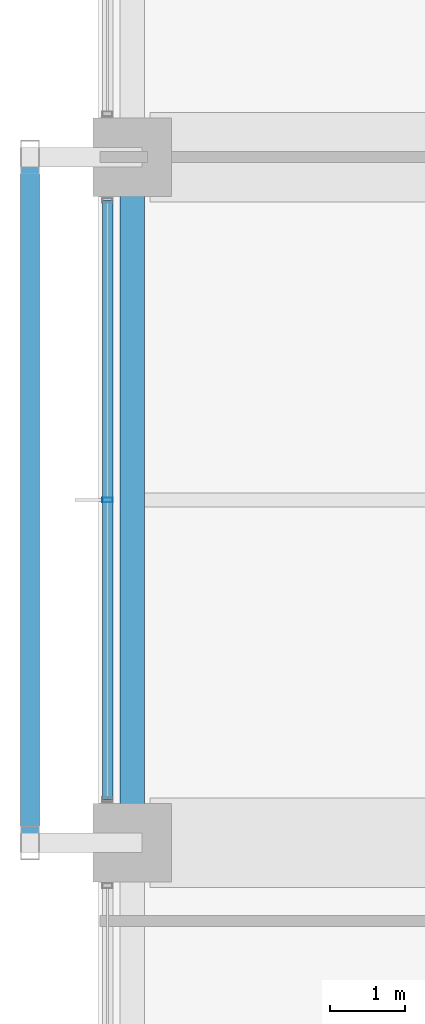
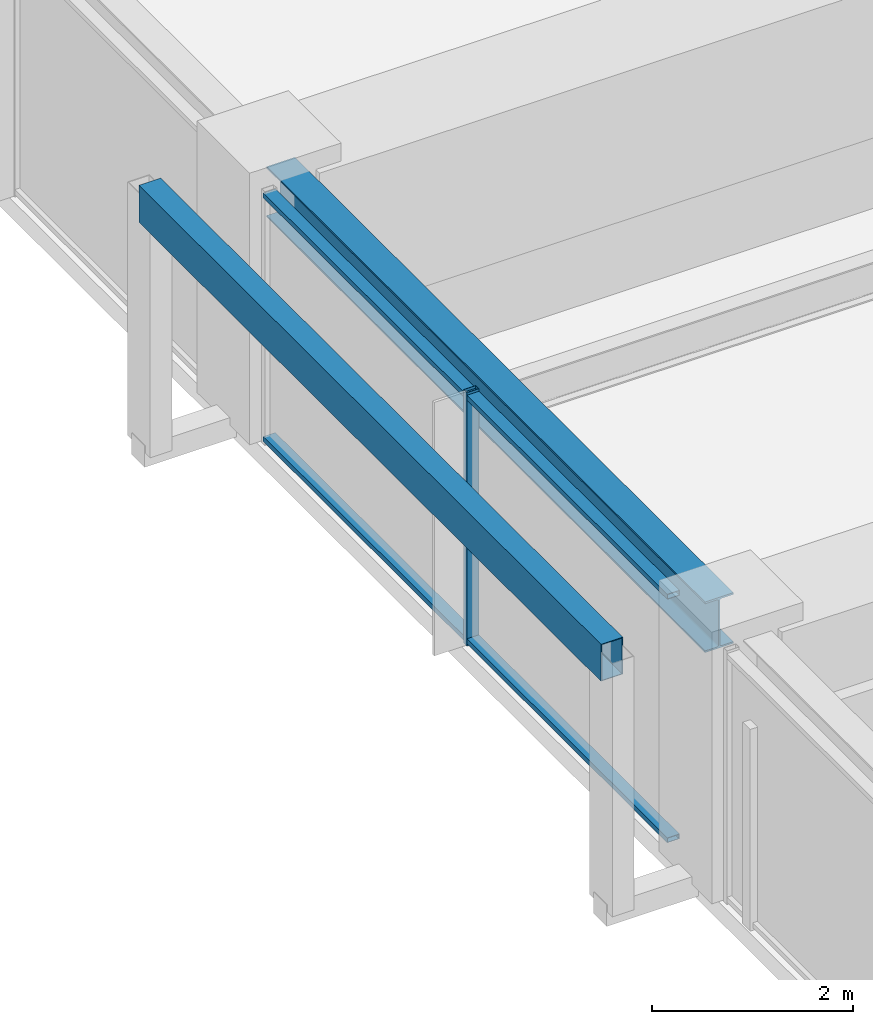
# One storey, part 9 of 39: 4 members, 1 beam, 1 element without a shape of its own.
"""IFC4 building model written with IfcOpenShell, lengths in metres."""

from ifc_helpers import new_model, si_unit, direction, frame, origin, origin_2d, place, context, subcontext, project, spatial, hollow_rectangle, i_section, extrude, material, material_profile, profile_set, type_object, element, aggregate, save


model = new_model("IFC4")

# Units and contexts
model_context = context("Model", 3, precision=1e-05, world=origin(), true_north=direction((0.0, 1.0)))
body_context = subcontext(model_context, "Body", "Model", "MODEL_VIEW")
ifc_project = project(units=[si_unit("LENGTHUNIT", "METRE"), si_unit("AREAUNIT", "SQUARE_METRE"), si_unit("VOLUMEUNIT", "CUBIC_METRE"), si_unit("PLANEANGLEUNIT", "RADIAN"), si_unit("MASSUNIT", "GRAM", prefix="KILO")], contexts=[model_context])

# Site, building, storey
site_placement = place(None, origin())
site = spatial("IfcSite", under=ifc_project, at=site_placement, CompositionType="ELEMENT")
building_placement = place(site_placement, origin())
building = spatial("IfcBuilding", under=site, at=building_placement, Name="Kolvaren Belvedere", CompositionType="ELEMENT")
storey_placement = place(building_placement, frame((0.0, 0.0, 85.39990234375)))
storey = spatial("IfcBuildingStorey", under=building, at=storey_placement, Name="L24", CompositionType="ELEMENT", Elevation=85.39990234375)

# Beam
ifc_material_1 = material(Name="Structural steel ASTM A992 Grade 50", Category="steel")
ifc_material_profile_1 = material_profile(ifc_material_1, i_section(OverallWidth=0.324951171875, OverallDepth=0.615966796875, WebThickness=0.013916015625, FlangeThickness=0.021484375, FilletRadius=0.02001953125, at=origin_2d()), Name="W24X117")
ifc_profile_set_1 = profile_set([ifc_material_profile_1], Name="Structural steel ASTM A992 Grade 50")
beam_type = type_object("IfcBeamType", Name="BM-SPAN-W24X117", PredefinedType="SPANDREL", material=ifc_profile_set_1)
beam_placement = place(storey_placement, frame((-19.949951171875, 4.36376953125, 2.772216796875), z_axis=(0.0, -1.0, 0.0), x_axis=(1.0, 0.0, 0.0)))
element("IfcBeam", 1, at=beam_placement, inside=storey, type_object=beam_type, Name="L24 Perimeter Spandrel W3-W2", PredefinedType="SPANDREL", context=body_context, shape_type="SweptSolid", body=[
    extrude(i_section(OverallWidth=0.324951171875, OverallDepth=0.615966796875, WebThickness=0.013916015625, FlangeThickness=0.021484375, FilletRadius=0.02001953125, at=origin_2d()), origin(), (0.0, 0.0, 1.0), 8.7275390625),
])

# Curtain wall, members
ifc_material_2 = material(Name="Anodised pale-metal aluminium AA 6063-T6", Category="aluminium")
curtain_wall_type = type_object("IfcCurtainWallType", Name="CW-Z2-MID", PredefinedType="NOTDEFINED", material=ifc_material_2)
curtain_wall_placement = place(storey_placement, origin())
curtain_wall = element("IfcCurtainWall", 2, at=curtain_wall_placement, inside=storey, type_object=curtain_wall_type, Name="L24 Unitised Curtain Wall FCW-L24-W-B2", PredefinedType="NOTDEFINED")
ifc_material_3 = material(Name="Anodised pale-metal aluminium AA 6063-T6", Category="aluminium")
ifc_material_profile_2 = material_profile(ifc_material_3, hollow_rectangle(XDim=0.06494140625, YDim=0.139892578125, WallThickness=0.00390625, at=origin_2d()), Name="ALU-MUL-140X65")
ifc_profile_set_2 = profile_set([ifc_material_profile_2], Name="Anodised pale-metal aluminium AA 6063-T6")
member_type_1 = type_object("IfcMemberType", Name="CW-MUL-140", PredefinedType="MULLION", material=ifc_profile_set_2)
member_1_placement = place(storey_placement, frame((-20.280029296875, 0.0, 0.0), z_axis=(0.0, 0.0, 1.0), x_axis=(0.0, 1.0, 0.0)))
member_1 = element("IfcMember", 3, at=member_1_placement, type_object=member_type_1, Name="FCW-L24-W-B2 Unitised Mullion 2", PredefinedType="MULLION", context=body_context, shape_type="SweptSolid", body=[
    extrude(hollow_rectangle(XDim=0.06494140625, YDim=0.139892578125, WallThickness=0.00390625, at=origin_2d()), origin(), (0.0, 0.0, 1.0), 3.080078125),
])
ifc_material_4 = material(Name="Anodised pale-metal aluminium AA 6063-T6", Category="aluminium")
ifc_material_profile_3 = material_profile(ifc_material_4, hollow_rectangle(XDim=0.06005859375, YDim=0.139892578125, WallThickness=0.00390625, at=origin_2d()), Name="ALU-TRN-140X60")
ifc_profile_set_3 = profile_set([ifc_material_profile_3], Name="Anodised pale-metal aluminium AA 6063-T6")
member_type_2 = type_object("IfcMemberType", Name="CW-TRN-140", PredefinedType="USERDEFINED", material=ifc_profile_set_3)
member_2_placement = place(storey_placement, frame((-20.280029296875, -4.0224609375, 0.06005859375), z_axis=(0.0, 1.0, 0.0), x_axis=(0.0, 0.0, 1.0)))
member_2 = element("IfcMember", 4, at=member_2_placement, type_object=member_type_2, Name="FCW-L24-W-B2 Sill Transom", ObjectType="TRANSOM", PredefinedType="USERDEFINED", context=body_context, shape_type="SweptSolid", body=[
    extrude(hollow_rectangle(XDim=0.06005859375, YDim=0.139892578125, WallThickness=0.00390625, at=origin_2d()), origin(), (0.0, 0.0, 1.0), 8.044921875),
])
member_3_placement = place(storey_placement, frame((-20.280029296875, -4.0224609375, 3.02001953125), z_axis=(0.0, 1.0, 0.0), x_axis=(0.0, 0.0, 1.0)))
member_3 = element("IfcMember", 5, at=member_3_placement, type_object=member_type_2, Name="FCW-L24-W-B2 Head Transom", ObjectType="TRANSOM", PredefinedType="USERDEFINED", context=body_context, shape_type="SweptSolid", body=[
    extrude(hollow_rectangle(XDim=0.06005859375, YDim=0.139892578125, WallThickness=0.00390625, at=origin_2d()), origin(), (0.0, 0.0, 1.0), 8.044921875),
])
aggregate(curtain_wall, [member_1, member_2, member_3])

# Member
ifc_material_5 = material(Name="Anodised pale-metal aluminium AA 6063-T6", Category="aluminium")
ifc_material_profile_4 = material_profile(ifc_material_5, hollow_rectangle(XDim=0.25, YDim=0.449951171875, WallThickness=0.008544921875, at=origin_2d()), Name="ALU-PF-450X250")
ifc_profile_set_4 = profile_set([ifc_material_profile_4], Name="Anodised pale-metal aluminium AA 6063-T6")
member_type_3 = type_object("IfcMemberType", Name="PF-FRAME-450", PredefinedType="USERDEFINED", material=ifc_profile_set_4)
member_4_placement = place(storey_placement, frame((-21.320068359375, -4.60009765625, 2.9501953125), z_axis=(0.0, 1.0, 0.0), x_axis=(-1.0, 0.0, 0.0)))
element("IfcMember", 6, at=member_4_placement, inside=storey, type_object=member_type_3, Name="L24 Outboard Picture-Frame Head W", ObjectType="PICTURE FRAME FIN", PredefinedType="USERDEFINED", context=body_context, shape_type="SweptSolid", body=[
    extrude(hollow_rectangle(XDim=0.25, YDim=0.449951171875, WallThickness=0.008544921875, at=origin_2d()), origin(), (0.0, 0.0, 1.0), 9.2001953125),
])

save(model, "model.ifc")
